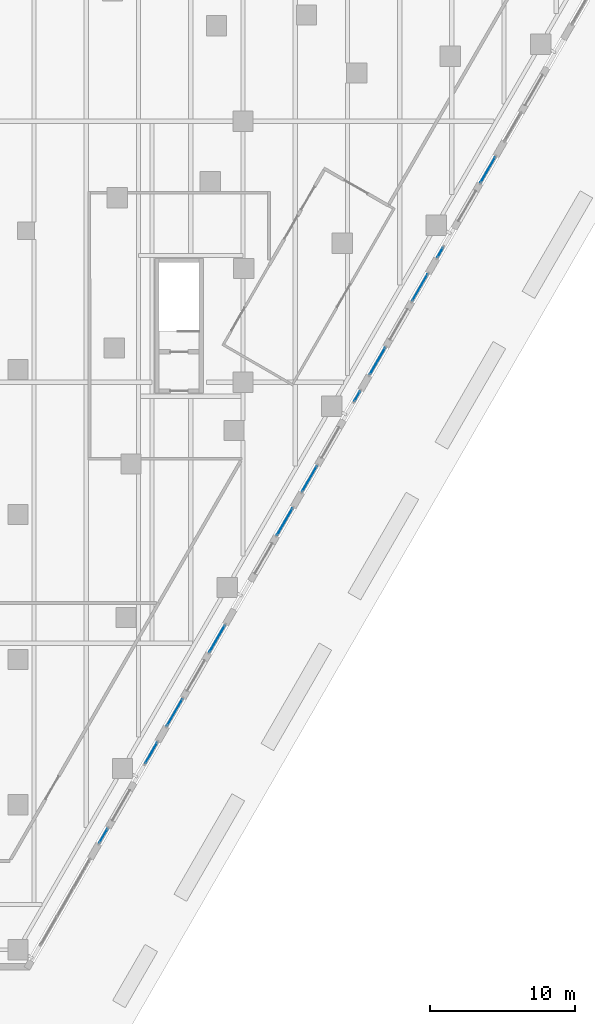
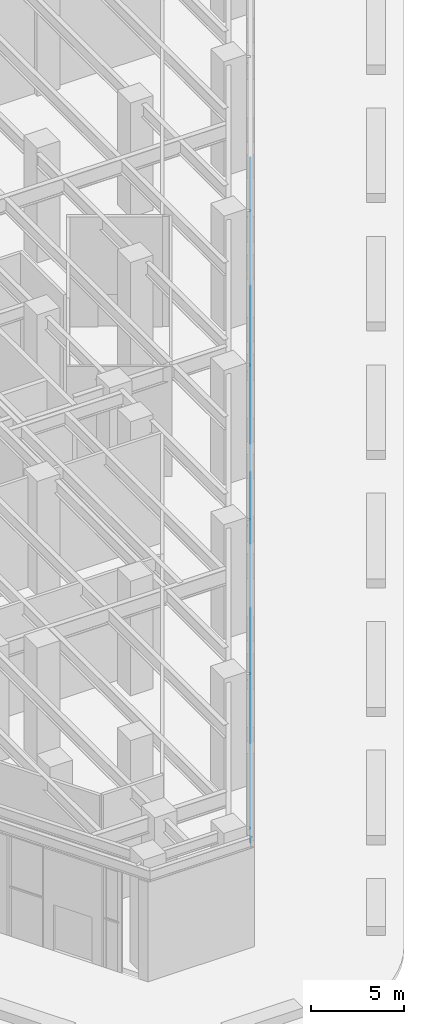
# One storey, part 22 of 37: 22 plates, 11 elements without a shape of their own.
"""IFC4 building model written with IfcOpenShell, lengths in metres."""

from ifc_helpers import new_model, si_unit, direction, frame, origin, origin_2d, place, context, subcontext, project, spatial, rectangle, extrude, material, layer, layer_set, type_object, element, aggregate, save


model = new_model("IFC4")

# Units and contexts
model_context = context("Model", 3, precision=1e-05, world=origin(), true_north=direction((0.0, 1.0)))
body_context = subcontext(model_context, "Body", "Model", "MODEL_VIEW")
ifc_project = project(units=[si_unit("LENGTHUNIT", "METRE"), si_unit("AREAUNIT", "SQUARE_METRE"), si_unit("VOLUMEUNIT", "CUBIC_METRE"), si_unit("PLANEANGLEUNIT", "RADIAN"), si_unit("MASSUNIT", "GRAM", prefix="KILO")], contexts=[model_context])

# Site, building, storey
site_placement = place(None, origin())
site = spatial("IfcSite", under=ifc_project, at=site_placement, CompositionType="ELEMENT")
building_placement = place(site_placement, origin())
building = spatial("IfcBuilding", under=site, at=building_placement, Name="Aloe Facet Convention Tower", CompositionType="ELEMENT")
storey_placement = place(building_placement, origin())
storey = spatial("IfcBuildingStorey", under=building, at=storey_placement, Name="L00", CompositionType="ELEMENT", Elevation=0.0)

# Curtain wall, plates
ifc_material_1 = material(Name="Aluminium, anodised", Category="aluminium")
curtain_wall_type = type_object("IfcCurtainWallType", Name="EV-CW-PORTAL", PredefinedType="USERDEFINED", material=ifc_material_1)
curtain_wall_1_placement = place(storey_placement, origin())
curtain_wall_1 = element("IfcCurtainWall", 1, at=curtain_wall_1_placement, inside=storey, type_object=curtain_wall_type, Name="CW-L00-E04A", ObjectType="ENTRANCE PORTAL GLAZING", PredefinedType="USERDEFINED")
ifc_material_2 = material(Name="Clear double glazing", Category="glass")
ifc_layer = layer(ifc_material_2, 0.035888671875)
ifc_layer_set = layer_set([ifc_layer], Name="EV-PANEL-PORTAL")
plate_type = type_object("IfcPlateType", Name="EV-PANEL-PORTAL", PredefinedType="CURTAIN_PANEL", material=ifc_layer_set)
plate_1_placement = place(storey_placement, frame((88.381103515625, 49.73681640625, -0.219970703125), z_axis=(0.0, 0.0, 1.0), x_axis=(0.500000000166, 0.866025403688, 0.0)))
plate_1 = element("IfcPlate", 2, at=plate_1_placement, type_object=plate_type, Name="CW-L00-E04A panel 1.1", PredefinedType="CURTAIN_PANEL", context=body_context, shape_type="SweptSolid", body=[
    extrude(rectangle(XDim=1.1005859375, YDim=0.035888671875, at=origin_2d()), origin(), (0.0, 0.0, 1.0), 3.2861328125),
])
plate_2_placement = place(storey_placement, frame((88.381103515625, 49.73681640625, 3.146240234375), z_axis=(0.0, 0.0, 1.0), x_axis=(0.500000000166, 0.866025403688, 0.0)))
plate_2 = element("IfcPlate", 3, at=plate_2_placement, type_object=plate_type, Name="CW-L00-E04A panel 1.2", PredefinedType="CURTAIN_PANEL", context=body_context, shape_type="SweptSolid", body=[
    extrude(rectangle(XDim=1.1005859375, YDim=0.035888671875, at=origin_2d()), origin(), (0.0, 0.0, 1.0), 3.2861328125),
])
aggregate(curtain_wall_1, [plate_1, plate_2])

curtain_wall_2_placement = place(storey_placement, origin())
curtain_wall_2 = element("IfcCurtainWall", 4, at=curtain_wall_2_placement, inside=storey, type_object=curtain_wall_type, Name="CW-L00-E04B", ObjectType="ENTRANCE PORTAL GLAZING", PredefinedType="USERDEFINED")
plate_3_placement = place(storey_placement, frame((91.67822265625, 55.447998046875, -0.219970703125), z_axis=(0.0, 0.0, 1.0), x_axis=(0.500000000121, 0.866025403715, 0.0)))
plate_3 = element("IfcPlate", 5, at=plate_3_placement, type_object=plate_type, Name="CW-L00-E04B panel 1.1", PredefinedType="CURTAIN_PANEL", context=body_context, shape_type="SweptSolid", body=[
    extrude(rectangle(XDim=1.6328125, YDim=0.035888671875, at=origin_2d()), origin(), (0.0, 0.0, 1.0), 3.2861328125),
])
plate_4_placement = place(storey_placement, frame((91.67822265625, 55.447998046875, 3.146240234375), z_axis=(0.0, 0.0, 1.0), x_axis=(0.500000000121, 0.866025403715, 0.0)))
plate_4 = element("IfcPlate", 6, at=plate_4_placement, type_object=plate_type, Name="CW-L00-E04B panel 1.2", PredefinedType="CURTAIN_PANEL", context=body_context, shape_type="SweptSolid", body=[
    extrude(rectangle(XDim=1.6328125, YDim=0.035888671875, at=origin_2d()), origin(), (0.0, 0.0, 1.0), 3.2861328125),
])
aggregate(curtain_wall_2, [plate_3, plate_4])

curtain_wall_3_placement = place(storey_placement, origin())
curtain_wall_3 = element("IfcCurtainWall", 7, at=curtain_wall_3_placement, inside=storey, type_object=curtain_wall_type, Name="CW-L00-E06A", ObjectType="ENTRANCE PORTAL GLAZING", PredefinedType="USERDEFINED")
plate_5_placement = place(storey_placement, frame((93.291748046875, 58.242431640625, -0.219970703125), z_axis=(0.0, 0.0, 1.0), x_axis=(0.50000000006, 0.86602540375, 0.0)))
plate_5 = element("IfcPlate", 8, at=plate_5_placement, type_object=plate_type, Name="CW-L00-E06A panel 1.1", PredefinedType="CURTAIN_PANEL", context=body_context, shape_type="SweptSolid", body=[
    extrude(rectangle(XDim=2.1005859375, YDim=0.035888671875, at=origin_2d()), origin(), (0.0, 0.0, 1.0), 3.2861328125),
])
plate_6_placement = place(storey_placement, frame((93.291748046875, 58.242431640625, 3.146240234375), z_axis=(0.0, 0.0, 1.0), x_axis=(0.50000000006, 0.86602540375, 0.0)))
plate_6 = element("IfcPlate", 9, at=plate_6_placement, type_object=plate_type, Name="CW-L00-E06A panel 1.2", PredefinedType="CURTAIN_PANEL", context=body_context, shape_type="SweptSolid", body=[
    extrude(rectangle(XDim=2.1005859375, YDim=0.035888671875, at=origin_2d()), origin(), (0.0, 0.0, 1.0), 3.2861328125),
])
aggregate(curtain_wall_3, [plate_5, plate_6])

curtain_wall_4_placement = place(storey_placement, origin())
curtain_wall_4 = element("IfcCurtainWall", 10, at=curtain_wall_4_placement, inside=storey, type_object=curtain_wall_type, Name="CW-L00-E06B", ObjectType="ENTRANCE PORTAL GLAZING", PredefinedType="USERDEFINED")
plate_7_placement = place(storey_placement, frame((96.221923828125, 63.31787109375, -0.219970703125), z_axis=(0.0, 0.0, 1.0), x_axis=(0.499999999728, 0.866025403942, 0.0)))
plate_7 = element("IfcPlate", 11, at=plate_7_placement, type_object=plate_type, Name="CW-L00-E06B panel 1.1", PredefinedType="CURTAIN_PANEL", context=body_context, shape_type="SweptSolid", body=[
    extrude(rectangle(XDim=2.1005859375, YDim=0.035888671875, at=origin_2d()), origin(), (0.0, 0.0, 1.0), 3.2861328125),
])
plate_8_placement = place(storey_placement, frame((96.221923828125, 63.31787109375, 3.146240234375), z_axis=(0.0, 0.0, 1.0), x_axis=(0.499999999728, 0.866025403942, 0.0)))
plate_8 = element("IfcPlate", 12, at=plate_8_placement, type_object=plate_type, Name="CW-L00-E06B panel 1.2", PredefinedType="CURTAIN_PANEL", context=body_context, shape_type="SweptSolid", body=[
    extrude(rectangle(XDim=2.1005859375, YDim=0.035888671875, at=origin_2d()), origin(), (0.0, 0.0, 1.0), 3.2861328125),
])
aggregate(curtain_wall_4, [plate_7, plate_8])

curtain_wall_5_placement = place(storey_placement, origin())
curtain_wall_5 = element("IfcCurtainWall", 13, at=curtain_wall_5_placement, inside=storey, type_object=curtain_wall_type, Name="CW-L00-E08B", ObjectType="ENTRANCE PORTAL GLAZING", PredefinedType="USERDEFINED")
plate_9_placement = place(storey_placement, frame((100.8828125, 71.390380859375, -0.219970703125), z_axis=(0.0, 0.0, 1.0), x_axis=(0.50000000006, 0.86602540375, 0.0)))
plate_9 = element("IfcPlate", 14, at=plate_9_placement, type_object=plate_type, Name="CW-L00-E08B panel 1.1", PredefinedType="CURTAIN_PANEL", context=body_context, shape_type="SweptSolid", body=[
    extrude(rectangle(XDim=2.1005859375, YDim=0.035888671875, at=origin_2d()), origin(), (0.0, 0.0, 1.0), 3.2861328125),
])
plate_10_placement = place(storey_placement, frame((100.8828125, 71.390380859375, 3.146240234375), z_axis=(0.0, 0.0, 1.0), x_axis=(0.50000000006, 0.86602540375, 0.0)))
plate_10 = element("IfcPlate", 15, at=plate_10_placement, type_object=plate_type, Name="CW-L00-E08B panel 1.2", PredefinedType="CURTAIN_PANEL", context=body_context, shape_type="SweptSolid", body=[
    extrude(rectangle(XDim=2.1005859375, YDim=0.035888671875, at=origin_2d()), origin(), (0.0, 0.0, 1.0), 3.2861328125),
])
aggregate(curtain_wall_5, [plate_9, plate_10])

curtain_wall_6_placement = place(storey_placement, origin())
curtain_wall_6 = element("IfcCurtainWall", 16, at=curtain_wall_6_placement, inside=storey, type_object=curtain_wall_type, Name="CW-L00-E10A", ObjectType="ENTRANCE PORTAL GLAZING", PredefinedType="USERDEFINED")
plate_11_placement = place(storey_placement, frame((102.588134765625, 74.34423828125, -0.219970703125), z_axis=(0.0, 0.0, 1.0), x_axis=(0.499999999985, 0.866025403793, 0.0)))
plate_11 = element("IfcPlate", 17, at=plate_11_placement, type_object=plate_type, Name="CW-L00-E10A panel 1.1", PredefinedType="CURTAIN_PANEL", context=body_context, shape_type="SweptSolid", body=[
    extrude(rectangle(XDim=2.000732421875, YDim=0.035888671875, at=origin_2d()), origin(), (0.0, 0.0, 1.0), 3.2861328125),
])
plate_12_placement = place(storey_placement, frame((102.588134765625, 74.34423828125, 3.146240234375), z_axis=(0.0, 0.0, 1.0), x_axis=(0.499999999985, 0.866025403793, 0.0)))
plate_12 = element("IfcPlate", 18, at=plate_12_placement, type_object=plate_type, Name="CW-L00-E10A panel 1.2", PredefinedType="CURTAIN_PANEL", context=body_context, shape_type="SweptSolid", body=[
    extrude(rectangle(XDim=2.000732421875, YDim=0.035888671875, at=origin_2d()), origin(), (0.0, 0.0, 1.0), 3.2861328125),
])
aggregate(curtain_wall_6, [plate_11, plate_12])

curtain_wall_7_placement = place(storey_placement, origin())
curtain_wall_7 = element("IfcCurtainWall", 19, at=curtain_wall_7_placement, inside=storey, type_object=curtain_wall_type, Name="CW-L00-E10B", ObjectType="ENTRANCE PORTAL GLAZING", PredefinedType="USERDEFINED")
plate_13_placement = place(storey_placement, frame((105.8779296875, 80.042236328125, -0.219970703125), z_axis=(0.0, 0.0, 1.0), x_axis=(0.499999999849, 0.866025403872, 0.0)))
plate_13 = element("IfcPlate", 20, at=plate_13_placement, type_object=plate_type, Name="CW-L00-E10B panel 1.1", PredefinedType="CURTAIN_PANEL", context=body_context, shape_type="SweptSolid", body=[
    extrude(rectangle(XDim=0.762939453125, YDim=0.035888671875, at=origin_2d()), origin(), (0.0, 0.0, 1.0), 3.2861328125),
])
plate_14_placement = place(storey_placement, frame((105.8779296875, 80.042236328125, 3.146240234375), z_axis=(0.0, 0.0, 1.0), x_axis=(0.499999999849, 0.866025403872, 0.0)))
plate_14 = element("IfcPlate", 21, at=plate_14_placement, type_object=plate_type, Name="CW-L00-E10B panel 1.2", PredefinedType="CURTAIN_PANEL", context=body_context, shape_type="SweptSolid", body=[
    extrude(rectangle(XDim=0.762939453125, YDim=0.035888671875, at=origin_2d()), origin(), (0.0, 0.0, 1.0), 3.2861328125),
])
aggregate(curtain_wall_7, [plate_13, plate_14])

curtain_wall_8_placement = place(storey_placement, origin())
curtain_wall_8 = element("IfcCurtainWall", 22, at=curtain_wall_8_placement, inside=storey, type_object=curtain_wall_type, Name="CW-L00-E12A", ObjectType="ENTRANCE PORTAL GLAZING", PredefinedType="USERDEFINED")
plate_15_placement = place(storey_placement, frame((107.273681640625, 82.4599609375, -0.219970703125), z_axis=(0.0, 0.0, 1.0), x_axis=(0.50000000006, 0.86602540375, 0.0)))
plate_15 = element("IfcPlate", 23, at=plate_15_placement, type_object=plate_type, Name="CW-L00-E12A panel 1.1", PredefinedType="CURTAIN_PANEL", context=body_context, shape_type="SweptSolid", body=[
    extrude(rectangle(XDim=2.1005859375, YDim=0.035888671875, at=origin_2d()), origin(), (0.0, 0.0, 1.0), 3.2861328125),
])
plate_16_placement = place(storey_placement, frame((107.273681640625, 82.4599609375, 3.146240234375), z_axis=(0.0, 0.0, 1.0), x_axis=(0.50000000006, 0.86602540375, 0.0)))
plate_16 = element("IfcPlate", 24, at=plate_16_placement, type_object=plate_type, Name="CW-L00-E12A panel 1.2", PredefinedType="CURTAIN_PANEL", context=body_context, shape_type="SweptSolid", body=[
    extrude(rectangle(XDim=2.1005859375, YDim=0.035888671875, at=origin_2d()), origin(), (0.0, 0.0, 1.0), 3.2861328125),
])
aggregate(curtain_wall_8, [plate_15, plate_16])

curtain_wall_9_placement = place(storey_placement, origin())
curtain_wall_9 = element("IfcCurtainWall", 25, at=curtain_wall_9_placement, inside=storey, type_object=curtain_wall_type, Name="CW-L00-E12B", ObjectType="ENTRANCE PORTAL GLAZING", PredefinedType="USERDEFINED")
plate_17_placement = place(storey_placement, frame((110.2041015625, 87.535400390625, -0.219970703125), z_axis=(0.0, 0.0, 1.0), x_axis=(0.50000000006, 0.86602540375, 0.0)))
plate_17 = element("IfcPlate", 26, at=plate_17_placement, type_object=plate_type, Name="CW-L00-E12B panel 1.1", PredefinedType="CURTAIN_PANEL", context=body_context, shape_type="SweptSolid", body=[
    extrude(rectangle(XDim=2.1005859375, YDim=0.035888671875, at=origin_2d()), origin(), (0.0, 0.0, 1.0), 3.2861328125),
])
plate_18_placement = place(storey_placement, frame((110.2041015625, 87.535400390625, 3.146240234375), z_axis=(0.0, 0.0, 1.0), x_axis=(0.50000000006, 0.86602540375, 0.0)))
plate_18 = element("IfcPlate", 27, at=plate_18_placement, type_object=plate_type, Name="CW-L00-E12B panel 1.2", PredefinedType="CURTAIN_PANEL", context=body_context, shape_type="SweptSolid", body=[
    extrude(rectangle(XDim=2.1005859375, YDim=0.035888671875, at=origin_2d()), origin(), (0.0, 0.0, 1.0), 3.2861328125),
])
aggregate(curtain_wall_9, [plate_17, plate_18])

curtain_wall_10_placement = place(storey_placement, origin())
curtain_wall_10 = element("IfcCurtainWall", 28, at=curtain_wall_10_placement, inside=storey, type_object=curtain_wall_type, Name="CW-L00-E14A", ObjectType="ENTRANCE PORTAL GLAZING", PredefinedType="USERDEFINED")
plate_19_placement = place(storey_placement, frame((111.60009765625, 89.95361328125, -0.219970703125), z_axis=(0.0, 0.0, 1.0), x_axis=(0.499999999849, 0.866025403872, 0.0)))
plate_19 = element("IfcPlate", 29, at=plate_19_placement, type_object=plate_type, Name="CW-L00-E14A panel 1.1", PredefinedType="CURTAIN_PANEL", context=body_context, shape_type="SweptSolid", body=[
    extrude(rectangle(XDim=0.763427734375, YDim=0.035888671875, at=origin_2d()), origin(), (0.0, 0.0, 1.0), 3.2861328125),
])
plate_20_placement = place(storey_placement, frame((111.60009765625, 89.95361328125, 3.146240234375), z_axis=(0.0, 0.0, 1.0), x_axis=(0.499999999849, 0.866025403872, 0.0)))
plate_20 = element("IfcPlate", 30, at=plate_20_placement, type_object=plate_type, Name="CW-L00-E14A panel 1.2", PredefinedType="CURTAIN_PANEL", context=body_context, shape_type="SweptSolid", body=[
    extrude(rectangle(XDim=0.763427734375, YDim=0.035888671875, at=origin_2d()), origin(), (0.0, 0.0, 1.0), 3.2861328125),
])
aggregate(curtain_wall_10, [plate_19, plate_20])

curtain_wall_11_placement = place(storey_placement, origin())
curtain_wall_11 = element("IfcCurtainWall", 31, at=curtain_wall_11_placement, inside=storey, type_object=curtain_wall_type, Name="CW-L00-E14B", ObjectType="ENTRANCE PORTAL GLAZING", PredefinedType="USERDEFINED")
plate_21_placement = place(storey_placement, frame((114.8896484375, 95.6513671875, -0.219970703125), z_axis=(0.0, 0.0, 1.0), x_axis=(0.500000000181, 0.86602540368, 0.0)))
plate_21 = element("IfcPlate", 32, at=plate_21_placement, type_object=plate_type, Name="CW-L00-E14B panel 1.1", PredefinedType="CURTAIN_PANEL", context=body_context, shape_type="SweptSolid", body=[
    extrude(rectangle(XDim=2.000732421875, YDim=0.035888671875, at=origin_2d()), origin(), (0.0, 0.0, 1.0), 3.2861328125),
])
plate_22_placement = place(storey_placement, frame((114.8896484375, 95.6513671875, 3.146240234375), z_axis=(0.0, 0.0, 1.0), x_axis=(0.500000000181, 0.86602540368, 0.0)))
plate_22 = element("IfcPlate", 33, at=plate_22_placement, type_object=plate_type, Name="CW-L00-E14B panel 1.2", PredefinedType="CURTAIN_PANEL", context=body_context, shape_type="SweptSolid", body=[
    extrude(rectangle(XDim=2.000732421875, YDim=0.035888671875, at=origin_2d()), origin(), (0.0, 0.0, 1.0), 3.2861328125),
])
aggregate(curtain_wall_11, [plate_21, plate_22])

save(model, "model.ifc")
